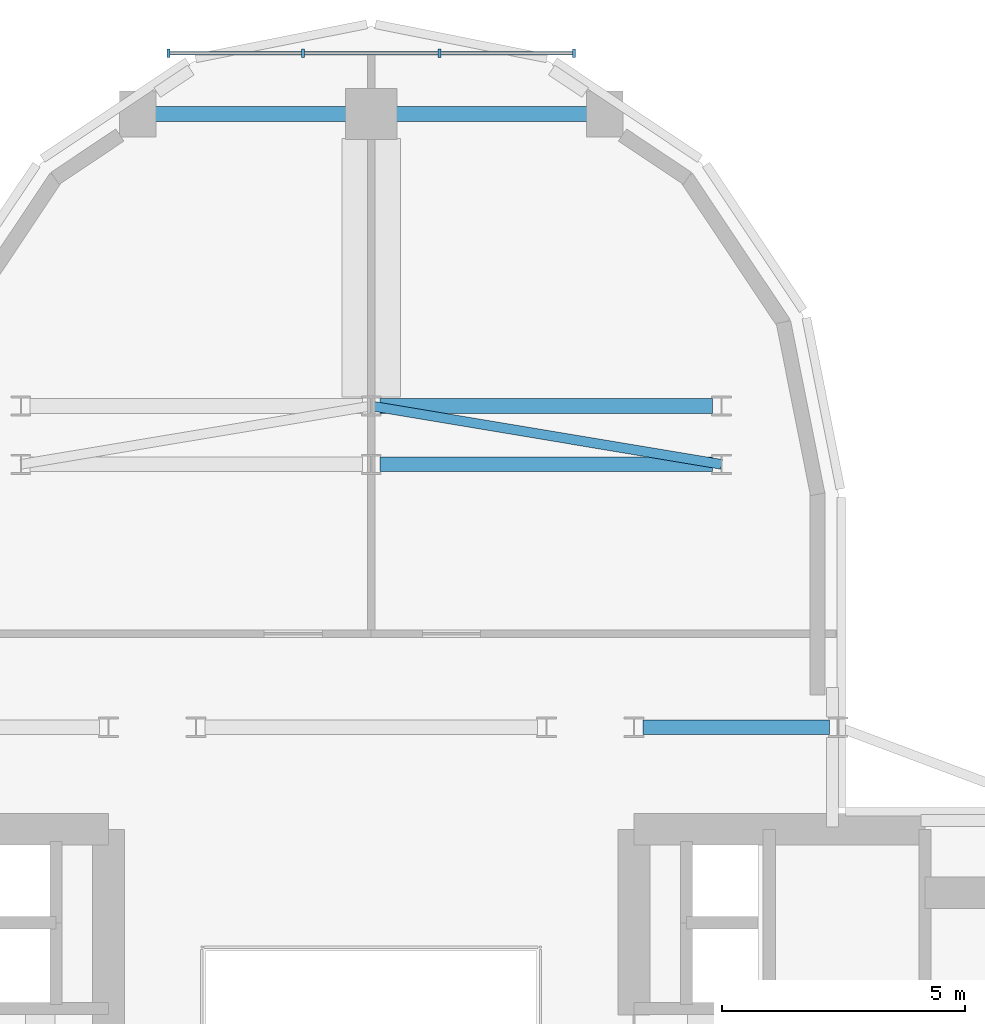
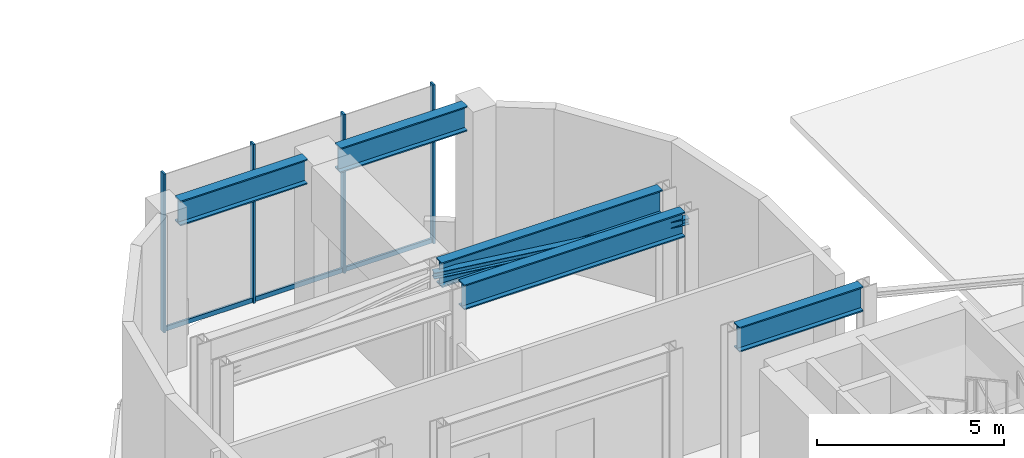
# One storey, part 7 of 16: 8 members, 5 beams, 1 element without a shape of its own.
"""IFC4 building model written with IfcOpenShell, lengths in metres."""

from ifc_helpers import new_model, si_unit, direction, frame, origin, origin_2d, place, context, subcontext, project, spatial, rectangle, i_section, extrude, source, transform, mapped, material, material_profile, profile_set, type_object, element, aggregate, save


model = new_model("IFC4")

# Units and contexts
model_context = context("Model", 3, precision=1e-05, world=origin(), true_north=direction((0.0, 1.0)))
body_context = subcontext(model_context, "Body", "Model", "MODEL_VIEW")
ifc_project = project(units=[si_unit("LENGTHUNIT", "METRE"), si_unit("AREAUNIT", "SQUARE_METRE"), si_unit("VOLUMEUNIT", "CUBIC_METRE"), si_unit("PLANEANGLEUNIT", "RADIAN"), si_unit("MASSUNIT", "GRAM", prefix="KILO")], contexts=[model_context])

# Site, building, storey
site_placement = place(None, origin())
site = spatial("IfcSite", under=ifc_project, at=site_placement, CompositionType="ELEMENT")
building_placement = place(site_placement, origin())
building = spatial("IfcBuilding", under=site, at=building_placement, Name="Keilestroom Media Tower", CompositionType="ELEMENT")
storey_placement = place(building_placement, frame((0.0, 0.0, 25.199951171875)))
storey = spatial("IfcBuildingStorey", under=building, at=storey_placement, Name="L05", CompositionType="ELEMENT", Elevation=25.199951171875)

# Beams
ifc_material_1 = material(Name="Steel S460", Category="steel")
ifc_material_profile_1 = material_profile(ifc_material_1, i_section(OverallWidth=0.302978515625, OverallDepth=0.81396484375, WebThickness=0.02099609375, FlangeThickness=0.0400390625, at=origin_2d()), Name="HEM 800")
ifc_profile_set_1 = profile_set([ifc_material_profile_1], Name="Steel S460")
beam_type = type_object("IfcBeamType", Name="Primary-Structural-Girder-HEM-800", PredefinedType="BEAM", material=ifc_profile_set_1)
shared_shape_1 = source(origin(), body_context, "Body", "SweptSolid", [
    extrude(i_section(OverallWidth=0.302978515625, OverallDepth=0.81396484375, WebThickness=0.02099609375, FlangeThickness=0.0400390625, at=origin_2d()), origin(), (0.0, 0.0, 1.0), 3.940185546875),
])
for number, where, z_axis, x_axis, name in (
    (1, (-4.445068359375, 21.60009765625, 4.79296875), (1.0, 0.0, 0.0), (0.0, 1.0, 0.0), "L05 Beam BG-1 BM-L05-EW-029"),
    (2, (0.5048828125, 21.60009765625, 4.79296875), (1.0, 0.0, 0.0), (0.0, 1.0, 0.0), "L05 Beam BG-1 BM-L05-EW-030"),
):
    element("IfcBeam", number, at=place(storey_placement, frame(where, z_axis=z_axis, x_axis=x_axis)), inside=storey, type_object=beam_type, Name=name, PredefinedType="BEAM", context=body_context, shape_type="MappedRepresentation", body=[
        mapped(shared_shape_1, transform((0.0, 0.0, 0.0), x_axis=(1.0, 0.0, 0.0), y_axis=(0.0, 1.0, 0.0), z_axis=(0.0, 0.0, 1.0), scale=1.0)),
    ])
shared_shape_2 = source(origin(), body_context, "Body", "SweptSolid", [
    extrude(i_section(OverallWidth=0.302978515625, OverallDepth=0.81396484375, WebThickness=0.02099609375, FlangeThickness=0.0400390625, at=origin_2d()), origin(), (0.0, 0.0, 1.0), 6.833984375),
])
for number, where, z_axis, x_axis, name in (
    (3, (0.18310546875, 14.39990234375, 4.79296875), (1.0, 0.0, 0.0), (0.0, 1.0, 0.0), "L05 Beam BG-1 BM-L05-EW-026"),
    (4, (0.18310546875, 15.60009765625, 4.79296875), (1.0, 0.0, 0.0), (0.0, 1.0, 0.0), "L05 Beam BG-1 BM-L05-EW-028"),
):
    element("IfcBeam", number, at=place(storey_placement, frame(where, z_axis=z_axis, x_axis=x_axis)), inside=storey, type_object=beam_type, Name=name, PredefinedType="BEAM", context=body_context, shape_type="MappedRepresentation", body=[
        mapped(shared_shape_2, transform((0.0, 0.0, 0.0), x_axis=(1.0, 0.0, 0.0), y_axis=(0.0, 1.0, 0.0), z_axis=(0.0, 0.0, 1.0), scale=1.0)),
    ])
shared_shape_3 = source(origin(), body_context, "Body", "SweptSolid", [
    extrude(i_section(OverallWidth=0.302978515625, OverallDepth=0.81396484375, WebThickness=0.02099609375, FlangeThickness=0.0400390625, at=origin_2d()), origin(), (0.0, 0.0, 1.0), 3.833984375),
])
beam_placement = place(storey_placement, frame((5.5830078125, 9.0, 4.79296875), z_axis=(1.0, 0.0, 0.0), x_axis=(0.0, 1.0, 0.0)))
element("IfcBeam", 5, at=beam_placement, inside=storey, type_object=beam_type, Name="L05 Beam BG-1 BM-L05-EW-024", PredefinedType="BEAM", context=body_context, shape_type="MappedRepresentation", body=[
    mapped(shared_shape_3, transform((0.0, 0.0, 0.0), x_axis=(1.0, 0.0, 0.0), y_axis=(0.0, 1.0, 0.0), z_axis=(0.0, 0.0, 1.0), scale=1.0)),
])

# Member
ifc_material_2 = material(Name="Steel S355", Category="steel")
ifc_material_profile_2 = material_profile(ifc_material_2, i_section(OverallWidth=0.199951171875, OverallDepth=0.199951171875, WebThickness=0.009033203125, FlangeThickness=0.014892578125, at=origin_2d()), Name="HEB 200")
ifc_profile_set_2 = profile_set([ifc_material_profile_2], Name="Steel S355")
member_type_1 = type_object("IfcMemberType", Name="Outrigger-And-Belt-Brace-HEB-200", PredefinedType="BRACE", material=ifc_profile_set_2)
shared_shape_4 = source(origin(), body_context, "Body", "SweptSolid", [
    extrude(i_section(OverallWidth=0.199951171875, OverallDepth=0.199951171875, WebThickness=0.009033203125, FlangeThickness=0.014892578125, at=origin_2d()), origin(), (0.0, 0.0, 1.0), 7.29931640625),
])
member_1_placement = place(storey_placement, frame((0.0, 15.60009765625, 4.800048828125), z_axis=(0.986389403576, -0.16442610654, 0.0), x_axis=(0.16442610654, 0.986389403576, 0.0)))
element("IfcMember", 6, at=member_1_placement, inside=storey, type_object=member_type_1, Name="L05 Horizontal Diaphragm Brace TBR-6", PredefinedType="BRACE", context=body_context, shape_type="MappedRepresentation", body=[
    mapped(shared_shape_4, transform((0.0, 0.0, 0.0), x_axis=(1.0, 0.0, 0.0), y_axis=(0.0, 1.0, 0.0), z_axis=(0.0, 0.0, 1.0), scale=1.0)),
])

# Curtain wall, members
ifc_material_3 = material(Name="Anodised Aluminium Alloy", Category="aluminium")
curtain_wall_type = type_object("IfcCurtainWallType", Name="Unitised-Curtain-Wall-CW-6", PredefinedType="NOTDEFINED", material=ifc_material_3)
curtain_wall_placement = place(storey_placement, origin())
curtain_wall = element("IfcCurtainWall", 7, at=curtain_wall_placement, inside=storey, type_object=curtain_wall_type, Name="L05 Curtain Wall CW-6 CW-L05-N", PredefinedType="NOTDEFINED")
ifc_material_profile_3 = material_profile(ifc_material_3, rectangle(XDim=0.06494140625, YDim=0.179931640625, at=origin_2d()), Name="ALU MULLION 65x180")
ifc_profile_set_3 = profile_set([ifc_material_profile_3], Name="Anodised Aluminium Alloy")
member_type_2 = type_object("IfcMemberType", Name="Curtain-Wall-Mullion-CW-6", PredefinedType="MULLION", material=ifc_profile_set_3)
shared_shape_5 = source(origin(), body_context, "Body", "SweptSolid", [
    extrude(rectangle(XDim=0.06494140625, YDim=0.179931640625, at=origin_2d()), origin(), (0.0, 0.0, 1.0), 5.199951171875),
])
member_2_placement = place(storey_placement, frame((-4.16748046875, 22.85009765625, 0.0), z_axis=(0.0, 0.0, 1.0), x_axis=(1.0, 0.0, 0.0)))
member_2 = element("IfcMember", 8, at=member_2_placement, type_object=member_type_2, Name="CW-6 Mullion 00", PredefinedType="MULLION", context=body_context, shape_type="MappedRepresentation", body=[
    mapped(shared_shape_5, transform((0.0, 0.0, 0.0), x_axis=(1.0, 0.0, 0.0), y_axis=(0.0, 1.0, 0.0), z_axis=(0.0, 0.0, 1.0), scale=1.0)),
])
member_3_placement = place(storey_placement, frame((-1.39990234375, 22.85009765625, 0.0), z_axis=(0.0, 0.0, 1.0), x_axis=(1.0, 0.0, 0.0)))
member_3 = element("IfcMember", 9, at=member_3_placement, type_object=member_type_2, Name="CW-6 Mullion 01", PredefinedType="MULLION", context=body_context, shape_type="MappedRepresentation", body=[
    mapped(shared_shape_5, transform((0.0, 0.0, 0.0), x_axis=(1.0, 0.0, 0.0), y_axis=(0.0, 1.0, 0.0), z_axis=(0.0, 0.0, 1.0), scale=1.0)),
])
member_4_placement = place(storey_placement, frame((1.39990234375, 22.85009765625, 0.0), z_axis=(0.0, 0.0, 1.0), x_axis=(1.0, 0.0, 0.0)))
member_4 = element("IfcMember", 10, at=member_4_placement, type_object=member_type_2, Name="CW-6 Mullion 02", PredefinedType="MULLION", context=body_context, shape_type="MappedRepresentation", body=[
    mapped(shared_shape_5, transform((0.0, 0.0, 0.0), x_axis=(1.0, 0.0, 0.0), y_axis=(0.0, 1.0, 0.0), z_axis=(0.0, 0.0, 1.0), scale=1.0)),
])
member_5_placement = place(storey_placement, frame((4.16748046875, 22.85009765625, 0.0), z_axis=(0.0, 0.0, 1.0), x_axis=(1.0, 0.0, 0.0)))
member_5 = element("IfcMember", 11, at=member_5_placement, type_object=member_type_2, Name="CW-6 Mullion 03", PredefinedType="MULLION", context=body_context, shape_type="MappedRepresentation", body=[
    mapped(shared_shape_5, transform((0.0, 0.0, 0.0), x_axis=(1.0, 0.0, 0.0), y_axis=(0.0, 1.0, 0.0), z_axis=(0.0, 0.0, 1.0), scale=1.0)),
])
ifc_material_profile_4 = material_profile(ifc_material_3, rectangle(XDim=0.06494140625, YDim=0.14990234375, at=origin_2d()), Name="ALU TRANSOM 65x150")
ifc_profile_set_4 = profile_set([ifc_material_profile_4], Name="Anodised Aluminium Alloy")
member_type_3 = type_object("IfcMemberType", Name="Curtain-Wall-Transom-CW-6", PredefinedType="USERDEFINED", material=ifc_profile_set_4)
shared_shape_6 = source(origin(), body_context, "Body", "SweptSolid", [
    extrude(rectangle(XDim=0.06494140625, YDim=0.14990234375, at=origin_2d()), origin(), (0.0, 0.0, 1.0), 2.70654296875),
])
member_6_placement = place(storey_placement, frame((-4.136962890625, 22.85009765625, 0.074951171875), z_axis=(1.0, 0.0, 0.0), x_axis=(0.0, 1.0, 0.0)))
member_6 = element("IfcMember", 12, at=member_6_placement, type_object=member_type_3, Name="CW-6 Transom 00.1", ObjectType="TRANSOM", PredefinedType="USERDEFINED", context=body_context, shape_type="MappedRepresentation", body=[
    mapped(shared_shape_6, transform((0.0, 0.0, 0.0), x_axis=(1.0, 0.0, 0.0), y_axis=(0.0, 1.0, 0.0), z_axis=(0.0, 0.0, 1.0), scale=1.0)),
])
member_7_placement = place(storey_placement, frame((1.430419921875, 22.85009765625, 0.074951171875), z_axis=(1.0, 0.0, 0.0), x_axis=(0.0, 1.0, 0.0)))
member_7 = element("IfcMember", 13, at=member_7_placement, type_object=member_type_3, Name="CW-6 Transom 02.1", ObjectType="TRANSOM", PredefinedType="USERDEFINED", context=body_context, shape_type="MappedRepresentation", body=[
    mapped(shared_shape_6, transform((0.0, 0.0, 0.0), x_axis=(1.0, 0.0, 0.0), y_axis=(0.0, 1.0, 0.0), z_axis=(0.0, 0.0, 1.0), scale=1.0)),
])
shared_shape_7 = source(origin(), body_context, "Body", "SweptSolid", [
    extrude(rectangle(XDim=0.06494140625, YDim=0.14990234375, at=origin_2d()), origin(), (0.0, 0.0, 1.0), 2.73876953125),
])
member_8_placement = place(storey_placement, frame((-1.369384765625, 22.85009765625, 0.074951171875), z_axis=(1.0, 0.0, 0.0), x_axis=(0.0, 1.0, 0.0)))
member_8 = element("IfcMember", 14, at=member_8_placement, type_object=member_type_3, Name="CW-6 Transom 01.1", ObjectType="TRANSOM", PredefinedType="USERDEFINED", context=body_context, shape_type="MappedRepresentation", body=[
    mapped(shared_shape_7, transform((0.0, 0.0, 0.0), x_axis=(1.0, 0.0, 0.0), y_axis=(0.0, 1.0, 0.0), z_axis=(0.0, 0.0, 1.0), scale=1.0)),
])
aggregate(curtain_wall, [member_2, member_3, member_4, member_5, member_6, member_8, member_7])

save(model, "model.ifc")
